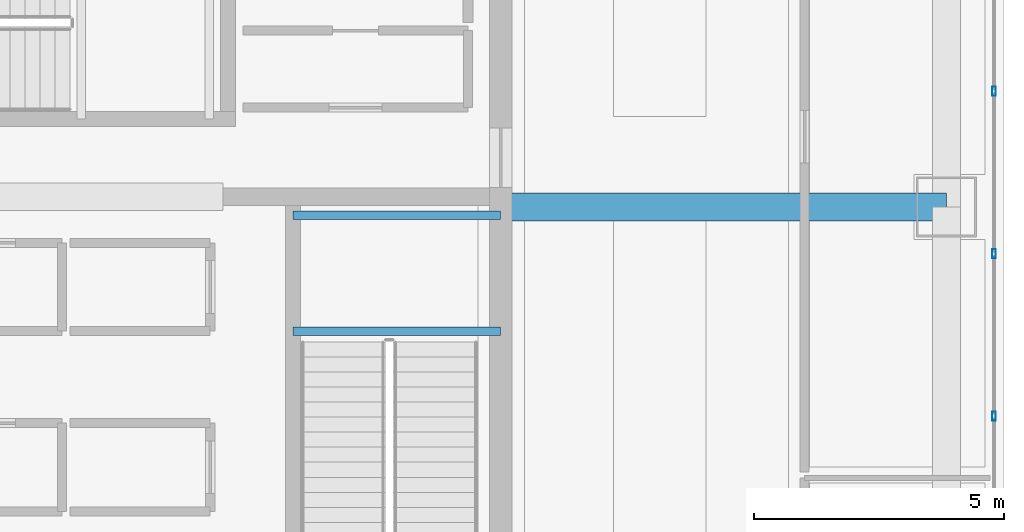
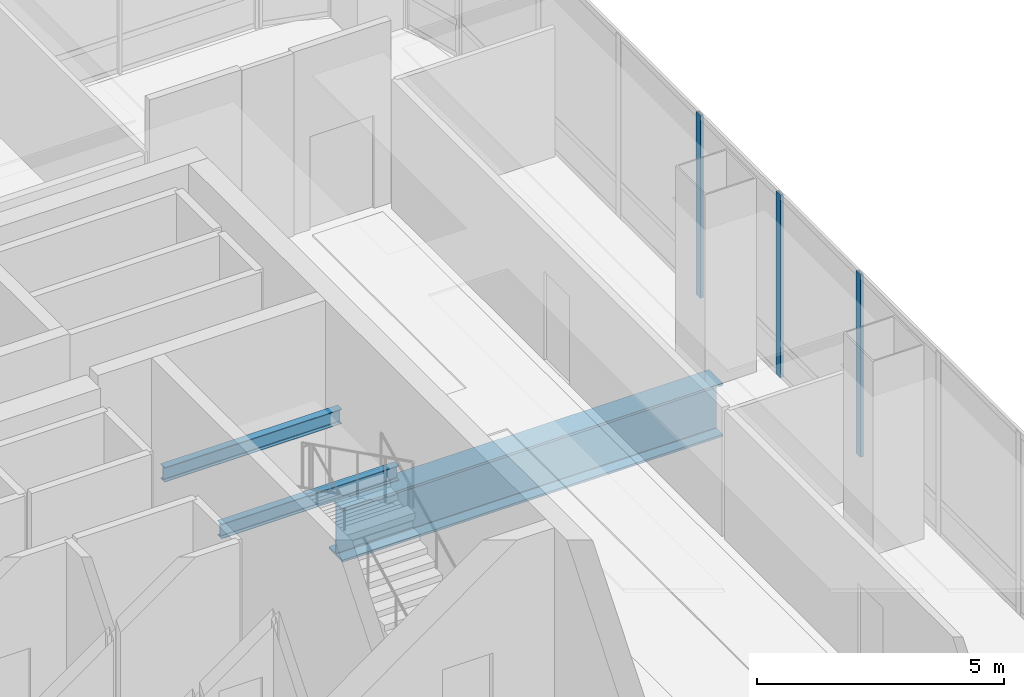
# One storey, part 22 of 45: 3 beams, 3 members, 1 element without a shape of its own.
"""IFC4 building model written with IfcOpenShell, lengths in metres."""

from ifc_helpers import new_model, si_unit, direction, frame, origin, origin_2d, place, context, subcontext, project, spatial, hollow_rectangle, i_section, extrude, material, material_profile, profile_set, type_object, element, aggregate, save


model = new_model("IFC4")

# Units and contexts
model_context = context("Model", 3, precision=1e-05, world=origin(), true_north=direction((0.0, 1.0)))
body_context = subcontext(model_context, "Body", "Model", "MODEL_VIEW")
ifc_project = project(units=[si_unit("LENGTHUNIT", "METRE"), si_unit("AREAUNIT", "SQUARE_METRE"), si_unit("VOLUMEUNIT", "CUBIC_METRE"), si_unit("PLANEANGLEUNIT", "RADIAN"), si_unit("MASSUNIT", "GRAM", prefix="KILO")], contexts=[model_context])

# Site, building, storey
site_placement = place(None, origin())
site = spatial("IfcSite", under=ifc_project, at=site_placement, CompositionType="ELEMENT")
building_placement = place(site_placement, origin())
building = spatial("IfcBuilding", under=site, at=building_placement, Name="Punatoya Terracotta Tower", CompositionType="ELEMENT")
storey_placement = place(building_placement, frame((0.0, 0.0, 339.0)))
storey = spatial("IfcBuildingStorey", under=building, at=storey_placement, Name="L80", CompositionType="ELEMENT", Elevation=339.0)

# Beams
ifc_material_1 = material(Name="Steel S355", Category="steel")
ifc_material_profile_1 = material_profile(ifc_material_1, i_section(OverallWidth=0.169921875, OverallDepth=0.360107421875, WebThickness=0.008056640625, FlangeThickness=0.0126953125, FilletRadius=0.01806640625, at=origin_2d()))
ifc_profile_set_1 = profile_set([ifc_material_profile_1], Name="Steel S355")
beam_type_1 = type_object("IfcBeamType", Name="BM-SEC-360", PredefinedType="JOIST", material=ifc_profile_set_1)
for number, where, z_axis, x_axis, name in (
    (1, (6.050048828125, 0.919921875, 2.02001953125), (1.0, 0.0, 0.0), (0.0, 1.0, 0.0), "BM-L80-ST-2-LD1A"),
    (2, (6.050048828125, 3.22998046875, 2.02001953125), (1.0, 0.0, 0.0), (0.0, 1.0, 0.0), "BM-L80-ST-2-LD1B"),
):
    element("IfcBeam", number, at=place(storey_placement, frame(where, z_axis=z_axis, x_axis=x_axis)), inside=storey, type_object=beam_type_1, Name=name, PredefinedType="JOIST", context=body_context, shape_type="SweptSolid", body=[
        extrude(i_section(OverallWidth=0.169921875, OverallDepth=0.360107421875, WebThickness=0.008056640625, FlangeThickness=0.0126953125, FilletRadius=0.01806640625, at=origin_2d()), origin(), (0.0, 0.0, 1.0), 4.14990234375),
    ])
ifc_material_2 = material(Name="Steel S460", Category="steel")
ifc_material_profile_2 = material_profile(ifc_material_2, i_section(OverallWidth=0.56005859375, OverallDepth=1.320068359375, WebThickness=0.035888671875, FlangeThickness=0.054931640625, FilletRadius=0.01806640625, at=origin_2d()))
ifc_profile_set_2 = profile_set([ifc_material_profile_2], Name="Steel S460")
beam_type_2 = type_object("IfcBeamType", Name="BM-TG-BLK", PredefinedType="BEAM", material=ifc_profile_set_2)
beam_placement = place(storey_placement, frame((10.199951171875, 3.39990234375, -0.919921875), z_axis=(1.0, 0.0, 0.0), x_axis=(0.0, 1.0, 0.0)))
element("IfcBeam", 3, at=beam_placement, inside=storey, type_object=beam_type_2, Name="BM-L80-PR-EE", PredefinedType="BEAM", context=body_context, shape_type="SweptSolid", body=[
    extrude(i_section(OverallWidth=0.56005859375, OverallDepth=1.320068359375, WebThickness=0.035888671875, FlangeThickness=0.054931640625, FilletRadius=0.01806640625, at=origin_2d()), origin(), (0.0, 0.0, 1.0), 8.900146484375),
])

# Curtain wall, members
ifc_material_3 = material(Name="Aluminium 6063-T6 + Double Low-E Glass", Category="aluminium")
curtain_wall_type = type_object("IfcCurtainWallType", Name="CW-OBS", PredefinedType="NOTDEFINED", material=ifc_material_3)
curtain_wall_placement = place(storey_placement, origin())
curtain_wall = element("IfcCurtainWall", 4, at=curtain_wall_placement, inside=storey, type_object=curtain_wall_type, Name="L80 Curtain Wall CW-L80-E05-1", PredefinedType="NOTDEFINED")
ifc_material_4 = material(Name="Aluminium 6063-T6", Category="aluminium")
ifc_material_profile_3 = material_profile(ifc_material_4, hollow_rectangle(XDim=0.070068359375, YDim=0.179931640625, WallThickness=0.00390625, at=origin_2d()))
ifc_profile_set_3 = profile_set([ifc_material_profile_3], Name="Aluminium 6063-T6")
member_type = type_object("IfcMemberType", Name="CW-MUL-M3", PredefinedType="MULLION", material=ifc_profile_set_3)
member_1_placement = place(storey_placement, frame((20.050048828125, -0.778564453125, 0.0), z_axis=(0.0, 0.0, 1.0), x_axis=(1.0, 0.0, 0.0)))
member_1 = element("IfcMember", 5, at=member_1_placement, type_object=member_type, Name="CW-L80-E05-1 Mullion 06", PredefinedType="MULLION", context=body_context, shape_type="SweptSolid", body=[
    extrude(hollow_rectangle(XDim=0.070068359375, YDim=0.179931640625, WallThickness=0.00390625, at=origin_2d()), origin(), (0.0, 0.0, 1.0), 4.52001953125),
])
member_2_placement = place(storey_placement, frame((20.050048828125, 2.464599609375, 0.0), z_axis=(0.0, 0.0, 1.0), x_axis=(1.0, 0.0, 0.0)))
member_2 = element("IfcMember", 6, at=member_2_placement, type_object=member_type, Name="CW-L80-E05-1 Mullion 07", PredefinedType="MULLION", context=body_context, shape_type="SweptSolid", body=[
    extrude(hollow_rectangle(XDim=0.070068359375, YDim=0.179931640625, WallThickness=0.00390625, at=origin_2d()), origin(), (0.0, 0.0, 1.0), 4.52001953125),
])
member_3_placement = place(storey_placement, frame((20.050048828125, 5.707763671875, 0.0), z_axis=(0.0, 0.0, 1.0), x_axis=(1.0, 0.0, 0.0)))
member_3 = element("IfcMember", 7, at=member_3_placement, type_object=member_type, Name="CW-L80-E05-1 Mullion 08", PredefinedType="MULLION", context=body_context, shape_type="SweptSolid", body=[
    extrude(hollow_rectangle(XDim=0.070068359375, YDim=0.179931640625, WallThickness=0.00390625, at=origin_2d()), origin(), (0.0, 0.0, 1.0), 4.52001953125),
])
aggregate(curtain_wall, [member_1, member_2, member_3])

save(model, "model.ifc")
